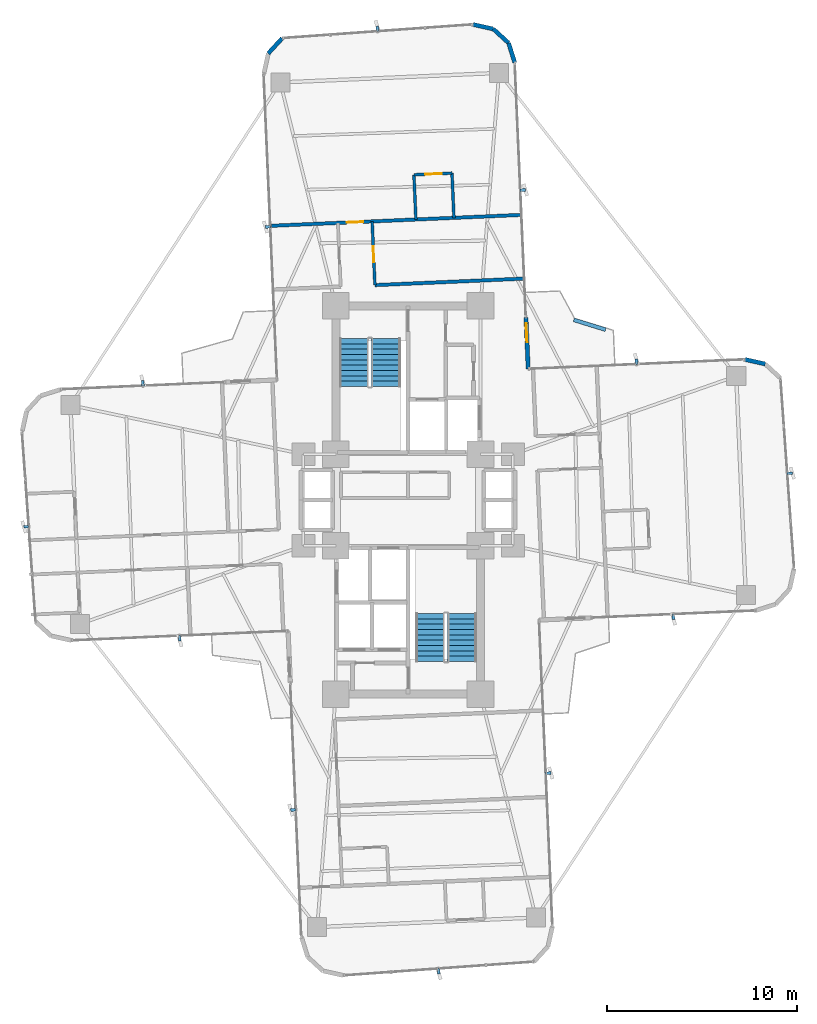
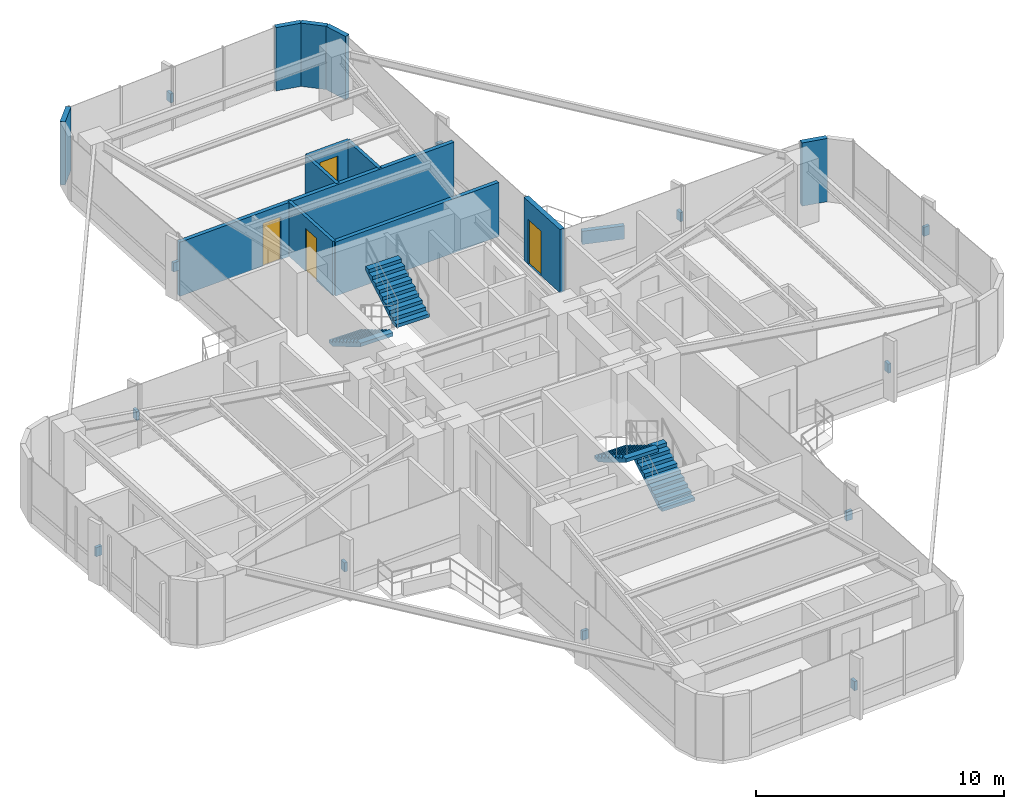
# One storey, part 25 of 26: 13 walls, 12 discrete accessories, 4 doors, 4 stair flights, 4 openings, 2 elements without a shape of their own.
"""IFC4 building model written with IfcOpenShell, lengths in metres."""

from ifc_helpers import new_model, si_unit, direction, frame, frame_2d, origin, origin_2d, place, context, subcontext, project, spatial, polyline, rectangle, outline, extrude, source, transform, mapped, material, layer, layer_set, type_object, element, fill, aggregate, save


model = new_model("IFC4")

# Units and contexts
model_context = context("Model", 3, precision=1e-05, world=origin(), true_north=direction((0.0, 1.0)))
body_context = subcontext(model_context, "Body", "Model", "MODEL_VIEW")
ifc_project = project(units=[si_unit("LENGTHUNIT", "METRE"), si_unit("AREAUNIT", "SQUARE_METRE"), si_unit("VOLUMEUNIT", "CUBIC_METRE"), si_unit("PLANEANGLEUNIT", "RADIAN"), si_unit("MASSUNIT", "GRAM", prefix="KILO")], contexts=[model_context])

# Site, building, storey
site_placement = place(None, origin())
site = spatial("IfcSite", under=ifc_project, at=site_placement, CompositionType="ELEMENT")
building_placement = place(site_placement, origin())
building = spatial("IfcBuilding", under=site, at=building_placement, Name="Sahyath Konkavel Grand Hotel", CompositionType="ELEMENT")
storey_placement = place(building_placement, frame((0.0, 0.0, 111.449951171875)))
storey = spatial("IfcBuildingStorey", under=building, at=storey_placement, Name="L30", CompositionType="ELEMENT", Elevation=111.449951171875)

# Wall
ifc_material_1 = material(Name="Warm Buff Sandstone Insulated Concrete C40/50", Category="masonry")
ifc_layer_1 = layer(ifc_material_1, 0.219970703125)
ifc_layer_set_1 = layer_set([ifc_layer_1], Name="Warm Buff Sandstone Insulated Concrete C40/50")
wall_type_1 = type_object("IfcWallType", Name="WLL-BALC-THRESH", PredefinedType="STANDARD", material=ifc_layer_set_1)
wall_1_placement = place(storey_placement, frame((18.75634765625, 7.1435546875, 0.0), z_axis=(0.0, 0.0, 1.0), x_axis=(-0.976282085775, 0.216502399514, 0.0)))
element("IfcWall", 1, at=wall_1_placement, inside=storey, type_object=wall_type_1, Name="L30 Rounded Corner Sandstone Pier 6", PredefinedType="STANDARD", context=body_context, shape_type="SweptSolid", body=[
    extrude(rectangle(XDim=1.087158203125, YDim=0.219970703125, at=frame_2d((0.54345703125, 0.0))), origin(), (0.0, 0.0, 1.0), 3.110107421875),
])

# Wall, opening, door
wall_2_placement = place(storey_placement, frame((6.305908203125, 6.881591796875, 0.0), z_axis=(0.0, 0.0, 1.0), x_axis=(-0.043672655174, 0.999045894436, 0.0)))
wall_2 = element("IfcWall", 2, at=wall_2_placement, inside=storey, type_object=wall_type_1, Name="L30 Winter-Garden Threshold Wall 8", PredefinedType="STANDARD", context=body_context, shape_type="SweptSolid", body=[
    extrude(rectangle(XDim=2.7001953125, YDim=0.219970703125, at=frame_2d((1.35009765625, 0.0))), origin(), (0.0, 0.0, 1.0), 3.110107421875),
])
opening_1_placement = place(wall_2_placement, frame((1.39990234375, 0.0, 0.0)))
opening_1 = element("IfcOpeningElement", 3, at=opening_1_placement, cuts=wall_2, Name="Opening D-TR1", PredefinedType="OPENING", context=body_context, shape_type="SweptSolid", body=[
    extrude(rectangle(XDim=1.0, YDim=2.199951171875, at=frame_2d((0.5, 1.10009765625))), frame((0.0, 0.1201171875, 0.0), z_axis=(0.0, -1.0, 0.0), x_axis=(1.0, 0.0, 0.0)), (0.0, 0.0, 1.0), 0.239990234375),
])
ifc_material_2 = material(Name="Anodised Bronze Aluminium & Low-E Glazing", Category="aluminium")
door_type_1 = type_object("IfcDoorType", Name="DR-TERRACE-1000", OperationType="NOTDEFINED", PredefinedType="DOOR", material=ifc_material_2)
shared_shape_1 = source(origin(), body_context, "Body", "SweptSolid", [
    extrude(rectangle(XDim=1.0, YDim=0.050048828125, at=origin_2d()), origin(), (0.0, 0.0, 1.0), 2.199951171875),
])
door_1_placement = place(opening_1_placement, frame((0.5, 0.0, 0.0)))
door_1 = element("IfcDoor", 4, at=door_1_placement, inside=storey, type_object=door_type_1, Name="L30 Winter-Garden Terrace Door 8", OperationType="SINGLE_SWING_LEFT", OverallHeight=2.199951171875, OverallWidth=1.0, PredefinedType="DOOR", context=body_context, shape_type="MappedRepresentation", body=[
    mapped(shared_shape_1, transform((0.0, 0.0, 0.0), scale=1.0)),
])
fill(opening_1, door_1)

# Walls
wall_3_placement = place(storey_placement, frame((5.603515625, 22.96630859375, 0.0), z_axis=(0.0, 0.0, 1.0), x_axis=(-0.300755105707, 0.953701403161, 0.0)))
element("IfcWall", 5, at=wall_3_placement, inside=storey, type_object=wall_type_1, Name="L30 Rounded Corner Sandstone Pier 9", PredefinedType="STANDARD", context=body_context, shape_type="SweptSolid", body=[
    extrude(rectangle(XDim=1.0869140625, YDim=0.219970703125, at=frame_2d((0.54345703125, 0.0))), origin(), (0.0, 0.0, 1.0), 3.110107421875),
])
wall_4_placement = place(storey_placement, frame((5.276611328125, 24.0029296875, 0.0), z_axis=(0.0, 0.0, 1.0), x_axis=(-0.737312600672, 0.675551721847, 0.0)))
element("IfcWall", 6, at=wall_4_placement, inside=storey, type_object=wall_type_1, Name="L30 Rounded Corner Sandstone Pier 10", PredefinedType="STANDARD", context=body_context, shape_type="SweptSolid", body=[
    extrude(rectangle(XDim=1.087158203125, YDim=0.219970703125, at=frame_2d((0.54345703125, 0.0))), origin(), (0.0, 0.0, 1.0), 3.110107421875),
])
for number, where, z_axis, x_axis, name in (
    (7, (4.47509765625, 24.7373046875, 0.0), (0.0, 0.0, 1.0), (-0.976271555154, 0.216549880158, 0.0), "L30 Rounded Corner Sandstone Pier 11"),
    (8, (-6.6142578125, 24.253173828125, 0.0), (0.0, 0.0, 1.0), (-0.675663596772, -0.737210081318, 0.0), "L30 Rounded Corner Sandstone Pier 13"),
):
    element("IfcWall", number, at=place(storey_placement, frame(where, z_axis=z_axis, x_axis=x_axis)), inside=storey, type_object=wall_type_1, Name=name, PredefinedType="STANDARD", context=body_context, shape_type="SweptSolid", body=[
        extrude(rectangle(XDim=1.0869140625, YDim=0.219970703125, at=frame_2d((0.54345703125, 0.0))), origin(), (0.0, 0.0, 1.0), 3.110107421875),
    ])
ifc_material_3 = material(Name="Twin-Stud Acoustic Gypsum Plasterboard Partition")
ifc_layer_2 = layer(ifc_material_3, 0.179931640625)
ifc_layer_set_2 = layer_set([ifc_layer_2], Name="Twin-Stud Acoustic Gypsum Plasterboard Partition")
wall_type_2 = type_object("IfcWallType", Name="WLL-DEMISE-180", PredefinedType="PARTITIONING", material=ifc_layer_set_2)
wall_5_placement = place(storey_placement, frame((6.048583984375, 11.625, 0.0), z_axis=(0.0, 0.0, 1.0), x_axis=(-0.999047634936, -0.043632821702, 0.0)))
element("IfcWall", 9, at=wall_5_placement, inside=storey, type_object=wall_type_2, Name="L30 Partition N-INR", PredefinedType="PARTITIONING", context=body_context, shape_type="SweptSolid", body=[
    extrude(rectangle(XDim=7.7998046875, YDim=0.179931640625, at=frame_2d((3.89990234375, 0.0))), origin(), (0.0, 0.0, 1.0), 2.66015625),
])

# Wall, opening, door
wall_6_placement = place(storey_placement, frame((5.902587890625, 14.9716796875, 0.0), z_axis=(0.0, 0.0, 1.0), x_axis=(-0.999048653727, -0.043609488494, 0.0)))
wall_6 = element("IfcWall", 10, at=wall_6_placement, inside=storey, type_object=wall_type_2, Name="L30 Partition N-NTIP-END", PredefinedType="PARTITIONING", context=body_context, shape_type="SweptSolid", body=[
    extrude(rectangle(XDim=13.10009765625, YDim=0.179931640625, at=frame_2d((6.550048828125, 0.0))), origin(), (0.0, 0.0, 1.0), 2.66015625),
])
opening_2_placement = place(wall_6_placement, frame((8.27490234375, 0.0, 0.0)))
opening_2 = element("IfcOpeningElement", 11, at=opening_2_placement, cuts=wall_6, Name="Opening D-F06D", PredefinedType="OPENING", context=body_context, shape_type="SweptSolid", body=[
    extrude(rectangle(XDim=0.85009765625, YDim=2.10009765625, at=frame_2d((0.425048828125, 1.050048828125))), frame((0.0, 0.10009765625, 0.0), z_axis=(0.0, -1.0, 0.0), x_axis=(1.0, 0.0, 0.0)), (0.0, 0.0, 1.0), 0.199951171875),
])
ifc_material_4 = material(Name="Fire-Rated Shaft Access Door")
door_type_2 = type_object("IfcDoorType", Name="DR-FD60-850", OperationType="NOTDEFINED", PredefinedType="DOOR", material=ifc_material_4)
shared_shape_2 = source(origin(), body_context, "Body", "SweptSolid", [
    extrude(rectangle(XDim=0.85009765625, YDim=0.050048828125, at=origin_2d()), origin(), (0.0, 0.0, 1.0), 2.10009765625),
])
door_2_placement = place(opening_2_placement, frame((0.425048828125, 0.0, 0.0)))
door_2 = element("IfcDoor", 12, at=door_2_placement, inside=storey, type_object=door_type_2, Name="L30 Door N-NTIP-ED", OperationType="SINGLE_SWING_LEFT", OverallHeight=2.10009765625, OverallWidth=0.85009765625, PredefinedType="DOOR", context=body_context, shape_type="MappedRepresentation", body=[
    mapped(shared_shape_2, transform((0.0, 0.0, 0.0), scale=1.0)),
])
fill(opening_2, door_2)

ifc_material_5 = material(Name="Fire-Rated Gypsum Plasterboard Partition")
ifc_layer_3 = layer(ifc_material_5, 0.14990234375)
ifc_layer_set_3 = layer_set([ifc_layer_3], Name="Fire-Rated Gypsum Plasterboard Partition")
wall_type_3 = type_object("IfcWallType", Name="WLL-PART-150", PredefinedType="PARTITIONING", material=ifc_layer_set_3)
wall_7_placement = place(storey_placement, frame((-1.743896484375, 11.28466796875, 0.0), z_axis=(0.0, 0.0, 1.0), x_axis=(-0.043579537274, 0.999049960678, 0.0)))
wall_7 = element("IfcWall", 13, at=wall_7_placement, inside=storey, type_object=wall_type_3, Name="L30 Partition N-CR", PredefinedType="PARTITIONING", context=body_context, shape_type="SweptSolid", body=[
    extrude(rectangle(XDim=3.35009765625, YDim=0.14990234375, at=frame_2d((1.675048828125, 0.0))), origin(), (0.0, 0.0, 1.0), 2.66015625),
])
opening_3_placement = place(wall_7_placement, frame((1.199951171875, 0.0, 0.0)))
opening_3 = element("IfcOpeningElement", 14, at=opening_3_placement, cuts=wall_7, Name="Opening D-F06D", PredefinedType="OPENING", context=body_context, shape_type="SweptSolid", body=[
    extrude(rectangle(XDim=0.85009765625, YDim=2.10009765625, at=frame_2d((0.425048828125, 1.050048828125))), frame((0.0, 0.0849609375, 0.0), z_axis=(0.0, -1.0, 0.0), x_axis=(1.0, 0.0, 0.0)), (0.0, 0.0, 1.0), 0.169921875),
])
door_3_placement = place(opening_3_placement, frame((0.425048828125, 0.0, 0.0)))
door_3 = element("IfcDoor", 15, at=door_3_placement, inside=storey, type_object=door_type_2, Name="L30 Door N-NS3R-D", OperationType="SINGLE_SWING_LEFT", OverallHeight=2.10009765625, OverallWidth=0.85009765625, PredefinedType="DOOR", context=body_context, shape_type="MappedRepresentation", body=[
    mapped(shared_shape_2, transform((0.0, 0.0, 0.0), scale=1.0)),
])
fill(opening_3, door_3)

# Walls
wall_8_placement = place(storey_placement, frame((0.40771484375, 14.731689453125, 0.0), z_axis=(0.0, 0.0, 1.0), x_axis=(-0.043527387554, 0.999052234136, 0.0)))
element("IfcWall", 16, at=wall_8_placement, inside=storey, type_object=wall_type_3, Name="L30 Partition N-NTIP-BN", PredefinedType="PARTITIONING", context=body_context, shape_type="SweptSolid", body=[
    extrude(rectangle(XDim=2.35009765625, YDim=0.14990234375, at=frame_2d((1.175048828125, 0.0))), origin(), (0.0, 0.0, 1.0), 2.66015625),
])
wall_9_placement = place(storey_placement, frame((2.406005859375, 14.819091796875, 0.0), z_axis=(0.0, 0.0, 1.0), x_axis=(-0.04363560271, 0.999047513473, 0.0)))
element("IfcWall", 17, at=wall_9_placement, inside=storey, type_object=wall_type_3, Name="L30 Partition N-NTIP-BS", PredefinedType="PARTITIONING", context=body_context, shape_type="SweptSolid", body=[
    extrude(rectangle(XDim=2.349853515625, YDim=0.14990234375, at=frame_2d((1.1748046875, 0.0))), origin(), (0.0, 0.0, 1.0), 2.66015625),
])

# Wall, opening, door
wall_10_placement = place(storey_placement, frame((2.303466796875, 17.166748046875, 0.0), z_axis=(0.0, 0.0, 1.0), x_axis=(-0.999049929275, -0.043580257179, 0.0)))
wall_10 = element("IfcWall", 18, at=wall_10_placement, inside=storey, type_object=wall_type_3, Name="L30 Partition N-NTIP-BE", PredefinedType="PARTITIONING", context=body_context, shape_type="SweptSolid", body=[
    extrude(rectangle(XDim=2.0, YDim=0.14990234375, at=frame_2d((1.0, 0.0))), origin(), (0.0, 0.0, 1.0), 2.66015625),
])
opening_4_placement = place(wall_10_placement, frame((0.550048828125, 0.0, 0.0)))
opening_4 = element("IfcOpeningElement", 19, at=opening_4_placement, cuts=wall_10, Name="Opening D-BT85", PredefinedType="OPENING", context=body_context, shape_type="SweptSolid", body=[
    extrude(rectangle(XDim=0.85009765625, YDim=2.10009765625, at=frame_2d((0.425048828125, 1.050048828125))), frame((0.0, 0.0849609375, 0.0), z_axis=(0.0, -1.0, 0.0), x_axis=(1.0, 0.0, 0.0)), (0.0, 0.0, 1.0), 0.169921875),
])
ifc_material_6 = material(Name="Moisture-Resistant Teak Bathroom Door")
door_type_3 = type_object("IfcDoorType", Name="DR-BATH-850", OperationType="NOTDEFINED", PredefinedType="DOOR", material=ifc_material_6)
door_4_placement = place(opening_4_placement, frame((0.425048828125, 0.0, 0.0)))
door_4 = element("IfcDoor", 20, at=door_4_placement, inside=storey, type_object=door_type_3, Name="L30 Door N-NTIP-BD", OperationType="SINGLE_SWING_RIGHT", OverallHeight=2.10009765625, OverallWidth=0.85009765625, PredefinedType="DOOR", context=body_context, shape_type="MappedRepresentation", body=[
    mapped(shared_shape_2, transform((0.0, 0.0, 0.0), scale=1.0)),
])
fill(opening_4, door_4)

# Wall
ifc_material_7 = material(Name="Warm Buff Sandstone Planter Wall", Category="masonry")
ifc_layer_4 = layer(ifc_material_7, 0.199951171875)
ifc_layer_set_4 = layer_set([ifc_layer_4], Name="Warm Buff Sandstone Planter Wall")
wall_type_4 = type_object("IfcWallType", Name="WLL-PLANTER-200", PredefinedType="PARAPET", material=ifc_layer_set_4)
wall_11_placement = place(storey_placement, frame((10.37158203125, 8.945068359375, 0.0), z_axis=(0.0, 0.0, 1.0), x_axis=(-0.955727710319, 0.294252516944, 0.0)))
element("IfcWall", 21, at=wall_11_placement, inside=storey, type_object=wall_type_4, Name="L30 Sky-Garden Stone Planter PLANTER NE", PredefinedType="PARAPET", context=body_context, shape_type="SweptSolid", body=[
    extrude(rectangle(XDim=1.749755859375, YDim=0.199951171875, at=frame_2d((0.875, 0.0))), origin(), (0.0, 0.0, 1.0), 0.650146484375),
])

# Stair, stair flights
ifc_material_8 = material(Name="Concrete C40/50", Category="concrete")
stair_type = type_object("IfcStairType", Name="STR-ST16-335", PredefinedType="HALF_TURN_STAIR", material=ifc_material_8)
stair_1_placement = place(storey_placement, origin())
stair_1 = element("IfcStair", 22, at=stair_1_placement, inside=storey, type_object=stair_type, Name="L30 North Core Smokeproof Exit Stair ST-1", PredefinedType="HALF_TURN_STAIR")
stair_flight_type = type_object("IfcStairFlightType", Name="STF-ST16-335", PredefinedType="STRAIGHT", material=ifc_material_8)
stair_flight_1_placement = place(storey_placement, frame((-2.840087890625, 8.47998046875, 0.0), z_axis=(0.0, 0.0, 1.0), x_axis=(0.0, -1.0, 0.0)))
stair_flight_1 = element("IfcStairFlight", 23, at=stair_flight_1_placement, type_object=stair_flight_type, Name="ST-1 flight 1", NumberOfRisers=10, NumberOfTreads=9, PredefinedType="STRAIGHT", RiserHeight=0.1675, TreadLength=0.28, context=body_context, shape_type="SweptSolid", body=[
    extrude(outline(polyline([(0.0, 0.0), (0.0, 0.16748046875), (0.280029296875, 0.16748046875), (0.280029296875, 0.3349609375), (0.56005859375, 0.3349609375), (0.56005859375, 0.50244140625), (0.840087890625, 0.50244140625), (0.840087890625, 0.669921875), (1.1201171875, 0.669921875), (1.1201171875, 0.83740234375), (1.39990234375, 0.83740234375), (1.39990234375, 1.0048828125), (1.679931640625, 1.0048828125), (1.679931640625, 1.172607421875), (1.9599609375, 1.172607421875), (1.9599609375, 1.340087890625), (2.239990234375, 1.340087890625), (2.239990234375, 1.507568359375), (2.52001953125, 1.507568359375), (2.52001953125, 1.675048828125), (2.52001953125, 1.332763671875), (0.2919921875, 0.0), (0.0, 0.0)])), frame((0.0, 0.760009765625, 0.0), z_axis=(0.0, -1.0, 0.0), x_axis=(1.0, 0.0, 0.0)), (0.0, 0.0, 1.0), 1.52001953125),
])
stair_flight_2_placement = place(storey_placement, frame((-1.159912109375, 5.9599609375, 1.675048828125), z_axis=(0.0, 0.0, 1.0), x_axis=(0.0, 1.0, 0.0)))
stair_flight_2 = element("IfcStairFlight", 24, at=stair_flight_2_placement, type_object=stair_flight_type, Name="ST-1 flight 2", NumberOfRisers=10, NumberOfTreads=9, PredefinedType="STRAIGHT", RiserHeight=0.1675, TreadLength=0.28, context=body_context, shape_type="SweptSolid", body=[
    extrude(outline(polyline([(0.0, 0.0), (0.0, 0.16748046875), (0.280029296875, 0.16748046875), (0.280029296875, 0.3349609375), (0.56005859375, 0.3349609375), (0.56005859375, 0.50244140625), (0.840087890625, 0.50244140625), (0.840087890625, 0.669921875), (1.1201171875, 0.669921875), (1.1201171875, 0.83740234375), (1.39990234375, 0.83740234375), (1.39990234375, 1.0048828125), (1.679931640625, 1.0048828125), (1.679931640625, 1.172607421875), (1.9599609375, 1.172607421875), (1.9599609375, 1.340087890625), (2.239990234375, 1.340087890625), (2.239990234375, 1.507568359375), (2.52001953125, 1.507568359375), (2.52001953125, 1.675048828125), (2.52001953125, 1.332763671875), (0.2919921875, 0.0), (0.0, 0.0)])), frame((0.0, 0.760009765625, 0.0), z_axis=(0.0, -1.0, 0.0), x_axis=(1.0, 0.0, 0.0)), (0.0, 0.0, 1.0), 1.52001953125),
])
aggregate(stair_1, [stair_flight_1, stair_flight_2])

stair_2_placement = place(storey_placement, origin())
stair_2 = element("IfcStair", 25, at=stair_2_placement, inside=storey, type_object=stair_type, Name="L30 South Core Smokeproof Exit Stair ST-2", PredefinedType="HALF_TURN_STAIR")
stair_flight_3_placement = place(storey_placement, frame((2.840087890625, -8.47998046875, 0.0), z_axis=(0.0, 0.0, 1.0), x_axis=(0.0, 1.0, 0.0)))
stair_flight_3 = element("IfcStairFlight", 26, at=stair_flight_3_placement, type_object=stair_flight_type, Name="ST-2 flight 1", NumberOfRisers=10, NumberOfTreads=9, PredefinedType="STRAIGHT", RiserHeight=0.1675, TreadLength=0.28, context=body_context, shape_type="SweptSolid", body=[
    extrude(outline(polyline([(0.0, 0.0), (0.0, 0.16748046875), (0.280029296875, 0.16748046875), (0.280029296875, 0.3349609375), (0.56005859375, 0.3349609375), (0.56005859375, 0.50244140625), (0.840087890625, 0.50244140625), (0.840087890625, 0.669921875), (1.1201171875, 0.669921875), (1.1201171875, 0.83740234375), (1.39990234375, 0.83740234375), (1.39990234375, 1.0048828125), (1.679931640625, 1.0048828125), (1.679931640625, 1.172607421875), (1.9599609375, 1.172607421875), (1.9599609375, 1.340087890625), (2.239990234375, 1.340087890625), (2.239990234375, 1.507568359375), (2.52001953125, 1.507568359375), (2.52001953125, 1.675048828125), (2.52001953125, 1.332763671875), (0.2919921875, 0.0), (0.0, 0.0)])), frame((0.0, 0.760009765625, 0.0), z_axis=(0.0, -1.0, 0.0), x_axis=(1.0, 0.0, 0.0)), (0.0, 0.0, 1.0), 1.52001953125),
])
stair_flight_4_placement = place(storey_placement, frame((1.159912109375, -5.9599609375, 1.675048828125), z_axis=(0.0, 0.0, 1.0), x_axis=(0.0, -1.0, 0.0)))
stair_flight_4 = element("IfcStairFlight", 27, at=stair_flight_4_placement, type_object=stair_flight_type, Name="ST-2 flight 2", NumberOfRisers=10, NumberOfTreads=9, PredefinedType="STRAIGHT", RiserHeight=0.1675, TreadLength=0.28, context=body_context, shape_type="SweptSolid", body=[
    extrude(outline(polyline([(0.0, 0.0), (0.0, 0.16748046875), (0.280029296875, 0.16748046875), (0.280029296875, 0.3349609375), (0.56005859375, 0.3349609375), (0.56005859375, 0.50244140625), (0.840087890625, 0.50244140625), (0.840087890625, 0.669921875), (1.1201171875, 0.669921875), (1.1201171875, 0.83740234375), (1.39990234375, 0.83740234375), (1.39990234375, 1.0048828125), (1.679931640625, 1.0048828125), (1.679931640625, 1.172607421875), (1.9599609375, 1.172607421875), (1.9599609375, 1.340087890625), (2.239990234375, 1.340087890625), (2.239990234375, 1.507568359375), (2.52001953125, 1.507568359375), (2.52001953125, 1.675048828125), (2.52001953125, 1.332763671875), (0.2919921875, 0.0), (0.0, 0.0)])), frame((0.0, 0.760009765625, 0.0), z_axis=(0.0, -1.0, 0.0), x_axis=(1.0, 0.0, 0.0)), (0.0, 0.0, 1.0), 1.52001953125),
])
aggregate(stair_2, [stair_flight_3, stair_flight_4])

# Discrete accessories
ifc_material_9 = material(Name="Steel E350", Category="steel")
discrete_accessory_type = type_object("IfcDiscreteAccessoryType", Name="ACC-FIN-BRACKET", PredefinedType="BRACKET", material=ifc_material_9)
shared_shape_3 = source(origin(), body_context, "Body", "SweptSolid", [
    extrude(rectangle(XDim=0.280029296875, YDim=0.139892578125, at=origin_2d()), origin(), (0.0, 0.0, 1.0), 0.449951171875),
])
for number, where, z_axis, x_axis, name in (
    (28, (13.9306640625, -6.128173828125, 1.330078125), (0.0, 0.0, 1.0), (0.043601950678, -0.999048982732, 0.0), "L30 Fin Support Bracket F0-1"),
    (29, (20.047119140625, 1.404296875, 1.330078125), (0.0, 0.0, 1.0), (0.997435789037, 0.071567078661, 0.0), "L30 Fin Support Bracket F4-2"),
    (30, (11.99462890625, 7.26025390625, 1.330078125), (0.0, 0.0, 1.0), (-0.043619387365, 0.999048221582, 0.0), "L30 Fin Support Bracket F7-1"),
    (31, (6.025634765625, 16.2783203125, 1.330078125), (0.0, 0.0, 1.0), (0.999048221582, 0.043619387365, 0.0), "L30 Fin Support Bracket F8-1"),
    (32, (-1.609375, 24.74267578125, 1.330078125), (0.0, 0.0, 1.0), (-0.071567078661, 0.997435789037, 0.0), "L30 Fin Support Bracket F12-2"),
    (33, (-7.362548828125, 14.342529296875, 1.330078125), (0.0, 0.0, 1.0), (-0.999048221582, -0.043619387365, 0.0), "L30 Fin Support Bracket F15-1"),
    (34, (-13.9306640625, 6.128173828125, 1.330078125), (0.0, 0.0, 1.0), (-0.043601950678, 0.999048982732, 0.0), "L30 Fin Support Bracket F16-1"),
    (35, (-20.047119140625, -1.404296875, 1.330078125), (0.0, 0.0, 1.0), (-0.997435789037, -0.071567078661, 0.0), "L30 Fin Support Bracket F20-2"),
    (36, (-11.99462890625, -7.26025390625, 1.330078125), (0.0, 0.0, 1.0), (0.043619387365, -0.999048221582, 0.0), "L30 Fin Support Bracket F23-1"),
    (37, (-6.025634765625, -16.2783203125, 1.330078125), (0.0, 0.0, 1.0), (-0.999048221582, -0.043619387365, 0.0), "L30 Fin Support Bracket F24-1"),
    (38, (1.609375, -24.74267578125, 1.330078125), (0.0, 0.0, 1.0), (0.071567078661, -0.997435789037, 0.0), "L30 Fin Support Bracket F28-2"),
    (39, (7.362548828125, -14.342529296875, 1.330078125), (0.0, 0.0, 1.0), (0.999048221582, 0.043619387365, 0.0), "L30 Fin Support Bracket F31-1"),
):
    element("IfcDiscreteAccessory", number, at=place(storey_placement, frame(where, z_axis=z_axis, x_axis=x_axis)), inside=storey, type_object=discrete_accessory_type, Name=name, PredefinedType="BRACKET", context=body_context, shape_type="MappedRepresentation", body=[
        mapped(shared_shape_3, transform((0.0, 0.0, 0.0), scale=1.0)),
    ])

save(model, "model.ifc")
